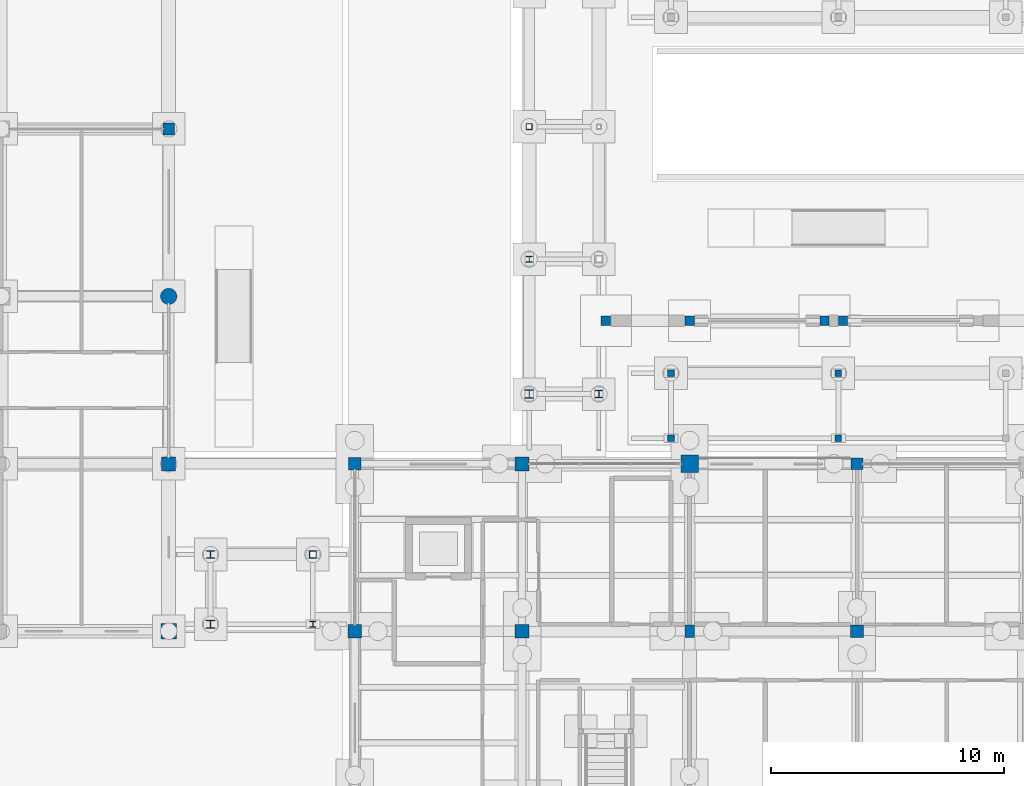
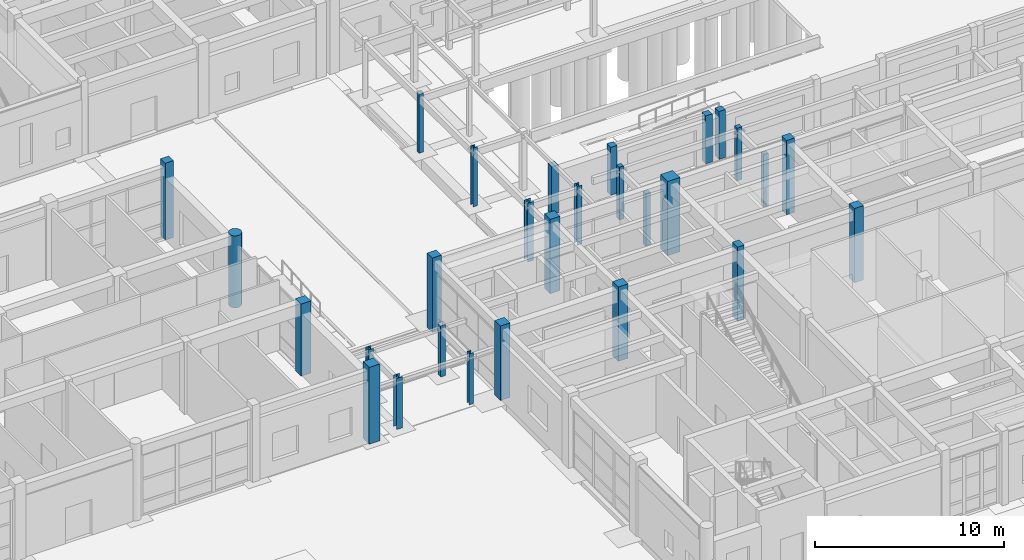
# One storey, part 17 of 143: 28 columns.
"""IFC4 building model written with IfcOpenShell, lengths in metres."""

from ifc_helpers import new_model, si_unit, direction, frame, origin, origin_2d, place, context, subcontext, project, spatial, rectangle, hollow_rectangle, circle, i_section, extrude, material, material_profile, profile_set, type_object, element, save


model = new_model("IFC4")

# Units and contexts
model_context = context("Model", 3, precision=1e-05, world=origin(), true_north=direction((0.0, 1.0)))
body_context = subcontext(model_context, "Body", "Model", "MODEL_VIEW")
ifc_project = project(units=[si_unit("LENGTHUNIT", "METRE"), si_unit("AREAUNIT", "SQUARE_METRE"), si_unit("VOLUMEUNIT", "CUBIC_METRE"), si_unit("PLANEANGLEUNIT", "RADIAN"), si_unit("MASSUNIT", "GRAM", prefix="KILO")], contexts=[model_context])

# Site, building, storey
site_placement = place(None, origin())
site = spatial("IfcSite", under=ifc_project, at=site_placement, CompositionType="ELEMENT")
building_placement = place(site_placement, origin())
building = spatial("IfcBuilding", under=site, at=building_placement, Name="Steenspoor Specialist Clinic", CompositionType="ELEMENT")
storey_placement = place(building_placement, origin())
storey = spatial("IfcBuildingStorey", under=building, at=storey_placement, Name="L00", CompositionType="ELEMENT", Elevation=0.0)

# Columns
ifc_material_1 = material(Name="Glulam GL28h", Category="wood")
ifc_material_profile_1 = material_profile(ifc_material_1, rectangle(XDim=0.280029296875, YDim=0.280029296875, at=origin_2d()), Name="GL28H-280X280")
ifc_profile_set_1 = profile_set([ifc_material_profile_1], Name="Glulam GL28h")
column_type_1 = type_object("IfcColumnType", Name="COL-GL-280", PredefinedType="COLUMN", material=ifc_profile_set_1)
for number, where, z_axis, x_axis, name in (
    (1, (58.800048828125, 42.949951171875, 0.0), (0.0, 0.0, 1.0), (1.0, 0.0, 0.0), "Walkway Colonnade Post COL-L00-0882"),
    (2, (58.800048828125, 45.75, 0.0), (0.0, 0.0, 1.0), (1.0, 0.0, 0.0), "Walkway Colonnade Post COL-L00-0883"),
    (3, (66.0, 42.949951171875, 0.0), (0.0, 0.0, 1.0), (1.0, 0.0, 0.0), "Walkway Colonnade Post COL-L00-0884"),
    (4, (66.0, 45.75, 0.0), (0.0, 0.0, 1.0), (1.0, 0.0, 0.0), "Walkway Colonnade Post COL-L00-0885"),
):
    element("IfcColumn", number, at=place(storey_placement, frame(where, z_axis=z_axis, x_axis=x_axis)), inside=storey, type_object=column_type_1, Name=name, PredefinedType="COLUMN", context=body_context, shape_type="SweptSolid", body=[
        extrude(rectangle(XDim=0.280029296875, YDim=0.280029296875, at=origin_2d()), origin(), (0.0, 0.0, 1.0), 3.39990234375),
    ])
ifc_material_2 = material(Name="Concrete C40/50", Category="concrete")
ifc_material_profile_2 = material_profile(ifc_material_2, rectangle(XDim=0.39990234375, YDim=0.39990234375, at=origin_2d()), Name="RC-COL-400X400")
ifc_profile_set_2 = profile_set([ifc_material_profile_2], Name="Concrete C40/50")
column_type_2 = type_object("IfcColumnType", Name="COL-RC-400", PredefinedType="COLUMN", material=ifc_profile_set_2)
for number, where, z_axis, x_axis, name in (
    (5, (56.0, 48.0, 0.0), (0.0, 0.0, 1.0), (1.0, 0.0, 0.0), "Campus Screen Wall Pier 09"),
    (6, (59.60009765625, 48.0, 0.0), (0.0, 0.0, 1.0), (1.0, 0.0, 0.0), "Campus Screen Wall Pier 10"),
    (7, (65.39990234375, 48.0, 0.0), (0.0, 0.0, 1.0), (1.0, 0.0, 0.0), "Campus Screen Wall Pier 11"),
    (8, (66.199951171875, 48.0, 0.0), (0.0, 0.0, 1.0), (1.0, 0.0, 0.0), "Campus Screen Wall Pier 12"),
):
    element("IfcColumn", number, at=place(storey_placement, frame(where, z_axis=z_axis, x_axis=x_axis)), inside=storey, type_object=column_type_2, Name=name, PredefinedType="COLUMN", context=body_context, shape_type="SweptSolid", body=[
        extrude(rectangle(XDim=0.39990234375, YDim=0.39990234375, at=origin_2d()), origin(), (0.0, 0.0, 1.0), 3.10009765625),
    ])
ifc_material_profile_3 = material_profile(ifc_material_2, rectangle(XDim=0.39990234375, YDim=0.550048828125, at=origin_2d()), Name="RC-COL-400X550")
ifc_profile_set_3 = profile_set([ifc_material_profile_3], Name="Concrete C40/50")
column_type_3 = type_object("IfcColumnType", Name="COL-RC-400X550", PredefinedType="COLUMN", material=ifc_profile_set_3)
column_1_placement = place(storey_placement, frame((59.60009765625, 34.64990234375, 0.0), z_axis=(0.0, 0.0, 1.0), x_axis=(1.0, 0.0, 0.0)))
element("IfcColumn", 9, at=column_1_placement, inside=storey, type_object=column_type_3, Name="Column COL-L00-0023", PredefinedType="COLUMN", context=body_context, shape_type="SweptSolid", body=[
    extrude(rectangle(XDim=0.39990234375, YDim=0.550048828125, at=origin_2d()), origin(), (0.0, 0.0, 1.0), 4.800048828125),
])
ifc_material_profile_4 = material_profile(ifc_material_2, rectangle(XDim=0.5, YDim=0.5, at=origin_2d()), Name="RC-COL-500X500")
ifc_profile_set_4 = profile_set([ifc_material_profile_4], Name="Concrete C40/50")
column_type_4 = type_object("IfcColumnType", Name="COL-RC-500", PredefinedType="COLUMN", material=ifc_profile_set_4)
column_2_placement = place(storey_placement, frame((66.800048828125, 41.85009765625, 0.0), z_axis=(0.0, 0.0, 1.0), x_axis=(1.0, 0.0, 0.0)))
element("IfcColumn", 10, at=column_2_placement, inside=storey, type_object=column_type_4, Name="Column COL-L00-0034", PredefinedType="COLUMN", context=body_context, shape_type="SweptSolid", body=[
    extrude(rectangle(XDim=0.5, YDim=0.5, at=origin_2d()), origin(), (0.0, 0.0, 1.0), 4.800048828125),
])
column_3_placement = place(storey_placement, frame((37.199951171875, 56.25, 0.0), z_axis=(0.0, 0.0, 1.0), x_axis=(1.0, 0.0, 0.0)))
element("IfcColumn", 11, at=column_3_placement, inside=storey, type_object=column_type_4, Name="Column COL-L00-0179", PredefinedType="COLUMN", context=body_context, shape_type="SweptSolid", body=[
    extrude(rectangle(XDim=0.5, YDim=0.5, at=origin_2d()), origin(), (0.0, 0.0, 1.0), 4.9599609375),
])
ifc_material_profile_5 = material_profile(ifc_material_2, rectangle(XDim=0.550048828125, YDim=0.550048828125, at=origin_2d()), Name="RC-COL-550X550")
ifc_profile_set_5 = profile_set([ifc_material_profile_5], Name="Concrete C40/50")
column_type_5 = type_object("IfcColumnType", Name="COL-RC-550", PredefinedType="COLUMN", material=ifc_profile_set_5)
for number, where, z_axis, x_axis, name in (
    (12, (45.199951171875, 41.85009765625, 0.0), (0.0, 0.0, 1.0), (1.0, 0.0, 0.0), "Column COL-L00-0009"),
    (13, (66.800048828125, 34.64990234375, 0.0), (0.0, 0.0, 1.0), (1.0, 0.0, 0.0), "Column COL-L00-0032"),
):
    element("IfcColumn", number, at=place(storey_placement, frame(where, z_axis=z_axis, x_axis=x_axis)), inside=storey, type_object=column_type_5, Name=name, PredefinedType="COLUMN", context=body_context, shape_type="SweptSolid", body=[
        extrude(rectangle(XDim=0.550048828125, YDim=0.550048828125, at=origin_2d()), origin(), (0.0, 0.0, 1.0), 4.800048828125),
    ])
ifc_material_profile_6 = material_profile(ifc_material_2, rectangle(XDim=0.60009765625, YDim=0.60009765625, at=origin_2d()), Name="RC-COL-600X600")
ifc_profile_set_6 = profile_set([ifc_material_profile_6], Name="Concrete C40/50")
column_type_6 = type_object("IfcColumnType", Name="COL-RC-600", PredefinedType="COLUMN", material=ifc_profile_set_6)
for number, where, z_axis, x_axis, name in (
    (14, (45.199951171875, 34.64990234375, 0.0), (0.0, 0.0, 1.0), (1.0, 0.0, 0.0), "Column COL-L00-0007"),
    (15, (52.39990234375, 34.64990234375, 0.0), (0.0, 0.0, 1.0), (1.0, 0.0, 0.0), "Column COL-L00-0013"),
    (16, (52.39990234375, 41.85009765625, 0.0), (0.0, 0.0, 1.0), (1.0, 0.0, 0.0), "Column COL-L00-0015"),
):
    element("IfcColumn", number, at=place(storey_placement, frame(where, z_axis=z_axis, x_axis=x_axis)), inside=storey, type_object=column_type_6, Name=name, PredefinedType="COLUMN", context=body_context, shape_type="SweptSolid", body=[
        extrude(rectangle(XDim=0.60009765625, YDim=0.60009765625, at=origin_2d()), origin(), (0.0, 0.0, 1.0), 4.800048828125),
    ])
column_4_placement = place(storey_placement, frame((37.199951171875, 41.85009765625, 0.0), z_axis=(0.0, 0.0, 1.0), x_axis=(1.0, 0.0, 0.0)))
element("IfcColumn", 17, at=column_4_placement, inside=storey, type_object=column_type_6, Name="Column COL-L00-0177", PredefinedType="COLUMN", context=body_context, shape_type="SweptSolid", body=[
    extrude(rectangle(XDim=0.60009765625, YDim=0.60009765625, at=origin_2d()), origin(), (0.0, 0.0, 1.0), 4.64990234375),
])
ifc_material_profile_7 = material_profile(ifc_material_2, rectangle(XDim=0.64990234375, YDim=0.64990234375, at=origin_2d()), Name="RC-COL-650X650")
ifc_profile_set_7 = profile_set([ifc_material_profile_7], Name="Concrete C40/50")
column_type_7 = type_object("IfcColumnType", Name="COL-RC-650", PredefinedType="COLUMN", material=ifc_profile_set_7)
column_5_placement = place(storey_placement, frame((37.199951171875, 34.64990234375, 0.0), z_axis=(0.0, 0.0, 1.0), x_axis=(1.0, 0.0, 0.0)))
element("IfcColumn", 18, at=column_5_placement, inside=storey, type_object=column_type_7, Name="Column COL-L00-0176", PredefinedType="COLUMN", context=body_context, shape_type="SweptSolid", body=[
    extrude(rectangle(XDim=0.64990234375, YDim=0.64990234375, at=origin_2d()), origin(), (0.0, 0.0, 1.0), 4.9599609375),
])
ifc_material_profile_8 = material_profile(ifc_material_2, rectangle(XDim=0.75, YDim=0.75, at=origin_2d()), Name="RC-COL-750X750")
ifc_profile_set_8 = profile_set([ifc_material_profile_8], Name="Concrete C40/50")
column_type_8 = type_object("IfcColumnType", Name="COL-RC-750", PredefinedType="COLUMN", material=ifc_profile_set_8)
column_6_placement = place(storey_placement, frame((59.60009765625, 41.85009765625, 0.0), z_axis=(0.0, 0.0, 1.0), x_axis=(1.0, 0.0, 0.0)))
element("IfcColumn", 19, at=column_6_placement, inside=storey, type_object=column_type_8, Name="Column COL-L00-0025", PredefinedType="COLUMN", context=body_context, shape_type="SweptSolid", body=[
    extrude(rectangle(XDim=0.75, YDim=0.75, at=origin_2d()), origin(), (0.0, 0.0, 1.0), 4.800048828125),
])
ifc_material_profile_9 = material_profile(ifc_material_2, circle(Radius=0.35009765625, at=origin_2d()), Name="RC-COL-D700")
ifc_profile_set_9 = profile_set([ifc_material_profile_9], Name="Concrete C40/50")
column_type_9 = type_object("IfcColumnType", Name="COL-RC-D700", PredefinedType="COLUMN", material=ifc_profile_set_9)
column_7_placement = place(storey_placement, frame((37.199951171875, 49.050048828125, 0.0), z_axis=(0.0, 0.0, 1.0), x_axis=(1.0, 0.0, 0.0)))
element("IfcColumn", 20, at=column_7_placement, inside=storey, type_object=column_type_9, Name="Column COL-L00-0178", PredefinedType="COLUMN", context=body_context, shape_type="SweptSolid", body=[
    extrude(circle(Radius=0.35009765625, at=origin_2d()), origin(), (0.0, 0.0, 1.0), 4.64990234375),
])
ifc_material_3 = material(Name="Steel A500 Grade C", Category="steel")
ifc_material_profile_10 = material_profile(ifc_material_3, hollow_rectangle(XDim=0.25390625, YDim=0.25390625, WallThickness=0.01171875, at=origin_2d()), Name="HSS254X254X12.7")
ifc_profile_set_10 = profile_set([ifc_material_profile_10], Name="Steel A500 Grade C")
column_type_10 = type_object("IfcColumnType", Name="COL-ST-HSS254", PredefinedType="COLUMN", material=ifc_profile_set_10)
column_8_placement = place(storey_placement, frame((52.699951171875, 56.35009765625, 0.0), z_axis=(0.0, 0.0, 1.0), x_axis=(1.0, 0.0, 0.0)))
element("IfcColumn", 21, at=column_8_placement, inside=storey, type_object=column_type_10, Name="Walkway Colonnade Post COL-L00-0848", PredefinedType="COLUMN", context=body_context, shape_type="SweptSolid", body=[
    extrude(hollow_rectangle(XDim=0.25390625, YDim=0.25390625, WallThickness=0.01171875, at=origin_2d()), origin(), (0.0, 0.0, 1.0), 3.800048828125),
])
ifc_material_profile_11 = material_profile(ifc_material_3, hollow_rectangle(XDim=0.3046875, YDim=0.3046875, WallThickness=0.01171875, at=origin_2d()), Name="HSS305X305X12.7")
ifc_profile_set_11 = profile_set([ifc_material_profile_11], Name="Steel A500 Grade C")
column_type_11 = type_object("IfcColumnType", Name="COL-ST-HSS305", PredefinedType="COLUMN", material=ifc_profile_set_11)
column_9_placement = place(storey_placement, frame((43.39990234375, 37.949951171875, 0.0), z_axis=(0.0, 0.0, 1.0), x_axis=(1.0, 0.0, 0.0)))
element("IfcColumn", 22, at=column_9_placement, inside=storey, type_object=column_type_11, Name="Walkway Colonnade Post COL-L00-0863", PredefinedType="COLUMN", context=body_context, shape_type="SweptSolid", body=[
    extrude(hollow_rectangle(XDim=0.3046875, YDim=0.3046875, WallThickness=0.01171875, at=origin_2d()), origin(), (0.0, 0.0, 1.0), 3.300048828125),
])
ifc_material_4 = material(Name="Steel A992 Grade 50", Category="steel")
ifc_material_profile_12 = material_profile(ifc_material_4, i_section(OverallWidth=0.256103515625, OverallDepth=0.260009765625, WebThickness=0.0107421875, FlangeThickness=0.017333984375, at=origin_2d()), Name="W250X89")
ifc_profile_set_12 = profile_set([ifc_material_profile_12], Name="Steel A992 Grade 50")
column_type_12 = type_object("IfcColumnType", Name="COL-ST-W250X89", PredefinedType="COLUMN", material=ifc_profile_set_12)
column_10_placement = place(storey_placement, frame((52.699951171875, 50.64990234375, 0.0), z_axis=(0.0, 0.0, 1.0), x_axis=(1.0, 0.0, 0.0)))
element("IfcColumn", 23, at=column_10_placement, inside=storey, type_object=column_type_12, Name="Walkway Colonnade Post COL-L00-0846", PredefinedType="COLUMN", context=body_context, shape_type="SweptSolid", body=[
    extrude(i_section(OverallWidth=0.256103515625, OverallDepth=0.260009765625, WebThickness=0.0107421875, FlangeThickness=0.017333984375, at=origin_2d()), origin(), (0.0, 0.0, 1.0), 3.800048828125),
])
column_11_placement = place(storey_placement, frame((43.39990234375, 34.949951171875, 0.0), z_axis=(0.0, 0.0, 1.0), x_axis=(1.0, 0.0, 0.0)))
element("IfcColumn", 24, at=column_11_placement, inside=storey, type_object=column_type_12, Name="Walkway Colonnade Post COL-L00-0862", PredefinedType="COLUMN", context=body_context, shape_type="SweptSolid", body=[
    extrude(i_section(OverallWidth=0.256103515625, OverallDepth=0.260009765625, WebThickness=0.0107421875, FlangeThickness=0.017333984375, at=origin_2d()), origin(), (0.0, 0.0, 1.0), 3.300048828125),
])
ifc_material_profile_13 = material_profile(ifc_material_4, i_section(OverallWidth=0.306884765625, OverallDepth=0.31396484375, WebThickness=0.010986328125, FlangeThickness=0.018798828125, at=origin_2d()), Name="W310X117")
ifc_profile_set_13 = profile_set([ifc_material_profile_13], Name="Steel A992 Grade 50")
column_type_13 = type_object("IfcColumnType", Name="COL-ST-W310X117", PredefinedType="COLUMN", material=ifc_profile_set_13)
column_12_placement = place(storey_placement, frame((55.699951171875, 44.85009765625, 0.0), z_axis=(0.0, 0.0, 1.0), x_axis=(1.0, 0.0, 0.0)))
element("IfcColumn", 25, at=column_12_placement, inside=storey, type_object=column_type_13, Name="Walkway Colonnade Post COL-L00-0845", PredefinedType="COLUMN", context=body_context, shape_type="SweptSolid", body=[
    extrude(i_section(OverallWidth=0.306884765625, OverallDepth=0.31396484375, WebThickness=0.010986328125, FlangeThickness=0.018798828125, at=origin_2d()), origin(), (0.0, 0.0, 1.0), 3.800048828125),
])
column_13_placement = place(storey_placement, frame((39.0, 37.949951171875, 0.0), z_axis=(0.0, 0.0, 1.0), x_axis=(1.0, 0.0, 0.0)))
element("IfcColumn", 26, at=column_13_placement, inside=storey, type_object=column_type_13, Name="Walkway Colonnade Post COL-L00-0861", PredefinedType="COLUMN", context=body_context, shape_type="SweptSolid", body=[
    extrude(i_section(OverallWidth=0.306884765625, OverallDepth=0.31396484375, WebThickness=0.010986328125, FlangeThickness=0.018798828125, at=origin_2d()), origin(), (0.0, 0.0, 1.0), 3.300048828125),
])
ifc_material_profile_14 = material_profile(ifc_material_4, i_section(OverallWidth=0.368896484375, OverallDepth=0.35595703125, WebThickness=0.01123046875, FlangeThickness=0.01806640625, at=origin_2d()), Name="W360X134")
ifc_profile_set_14 = profile_set([ifc_material_profile_14], Name="Steel A992 Grade 50")
column_type_14 = type_object("IfcColumnType", Name="COL-ST-W360X134", PredefinedType="COLUMN", material=ifc_profile_set_14)
column_14_placement = place(storey_placement, frame((52.699951171875, 44.85009765625, 0.0), z_axis=(0.0, 0.0, 1.0), x_axis=(1.0, 0.0, 0.0)))
element("IfcColumn", 27, at=column_14_placement, inside=storey, type_object=column_type_14, Name="Walkway Colonnade Post COL-L00-0844", PredefinedType="COLUMN", context=body_context, shape_type="SweptSolid", body=[
    extrude(i_section(OverallWidth=0.368896484375, OverallDepth=0.35595703125, WebThickness=0.01123046875, FlangeThickness=0.01806640625, at=origin_2d()), origin(), (0.0, 0.0, 1.0), 3.800048828125),
])
column_15_placement = place(storey_placement, frame((39.0, 34.949951171875, 0.0), z_axis=(0.0, 0.0, 1.0), x_axis=(1.0, 0.0, 0.0)))
element("IfcColumn", 28, at=column_15_placement, inside=storey, type_object=column_type_14, Name="Walkway Colonnade Post COL-L00-0860", PredefinedType="COLUMN", context=body_context, shape_type="SweptSolid", body=[
    extrude(i_section(OverallWidth=0.368896484375, OverallDepth=0.35595703125, WebThickness=0.01123046875, FlangeThickness=0.01806640625, at=origin_2d()), origin(), (0.0, 0.0, 1.0), 3.300048828125),
])

save(model, "model.ifc")
